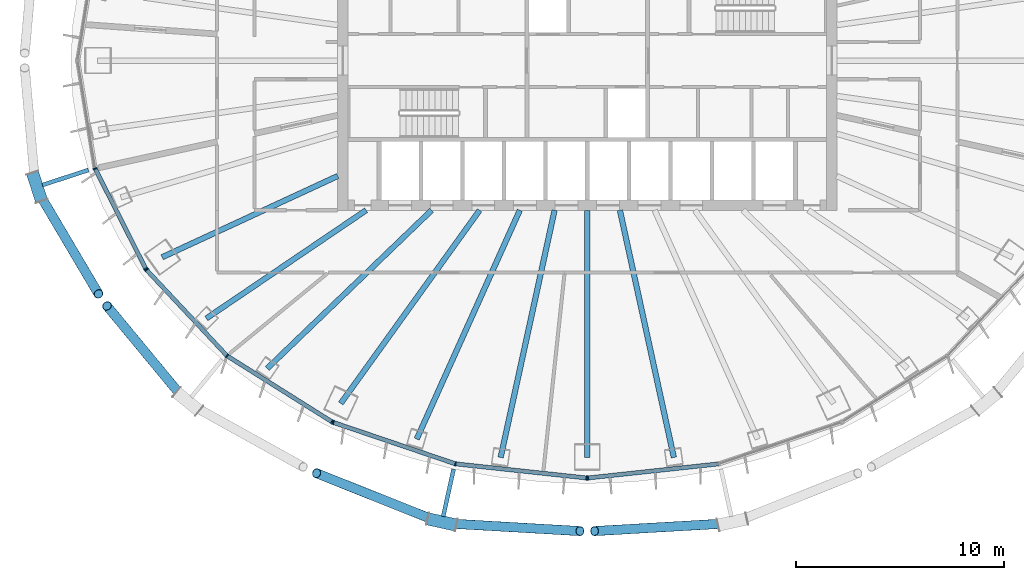
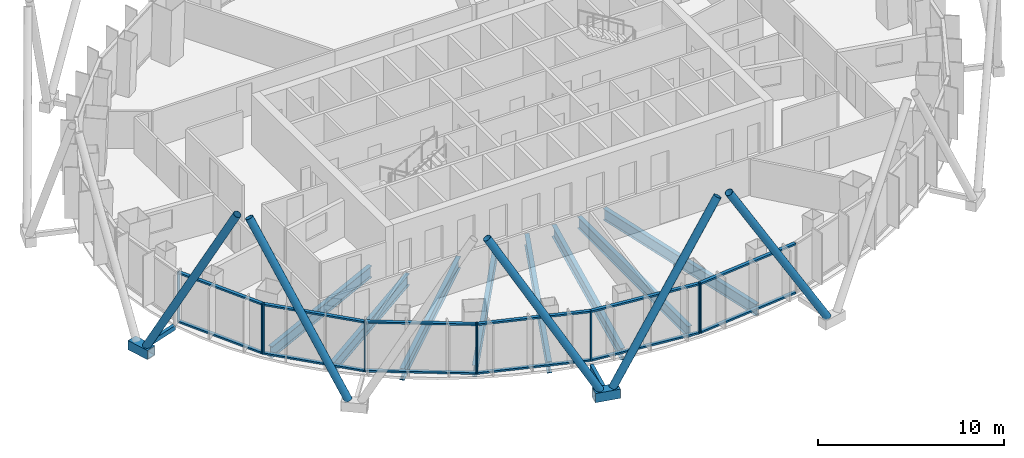
# One storey, part 2 of 18: 30 members, 8 beams, 4 elements without a shape of their own.
"""IFC4 building model written with IfcOpenShell, lengths in metres."""

from ifc_helpers import new_model, si_unit, direction, frame, origin, origin_2d, place, context, subcontext, project, spatial, rectangle, hollow_rectangle, hollow_circle, i_section, extrude, material, layer, layer_set, material_profile, profile_set, type_object, element, aggregate, save


model = new_model("IFC4")

# Units and contexts
model_context = context("Model", 3, precision=1e-05, world=origin(), true_north=direction((0.0, 1.0)))
body_context = subcontext(model_context, "Body", "Model", "MODEL_VIEW")
ifc_project = project(units=[si_unit("LENGTHUNIT", "METRE"), si_unit("AREAUNIT", "SQUARE_METRE"), si_unit("VOLUMEUNIT", "CUBIC_METRE"), si_unit("PLANEANGLEUNIT", "RADIAN"), si_unit("MASSUNIT", "GRAM", prefix="KILO")], contexts=[model_context])

# Site, building, storey
site_placement = place(None, origin())
site = spatial("IfcSite", under=ifc_project, at=site_placement, CompositionType="ELEMENT")
building_placement = place(site_placement, origin())
building = spatial("IfcBuilding", under=site, at=building_placement, Name="Siaravel Broadcast Tower", CompositionType="ELEMENT")
storey_placement = place(building_placement, frame((0.0, 0.0, 141.5)))
storey = spatial("IfcBuildingStorey", under=building, at=storey_placement, Name="L34", CompositionType="ELEMENT", Elevation=141.5)

# Beams
ifc_material_1 = material(Name="Steel S355", Category="steel")
ifc_material_profile_1 = material_profile(ifc_material_1, i_section(OverallWidth=0.26513671875, OverallDepth=0.75390625, WebThickness=0.0126953125, FlangeThickness=0.017578125, FilletRadius=0.0166015625, at=origin_2d()))
ifc_profile_set_1 = profile_set([ifc_material_profile_1], Name="Steel S355")
beam_type = type_object("IfcBeamType", Name="BM-UB 762x267x147", PredefinedType="BEAM", material=ifc_profile_set_1)
beam_1_placement = place(storey_placement, frame((-20.444091796875, -9.459716796875, -0.52685546875), z_axis=(0.907551921, 0.419939889, 0.0), x_axis=(-0.419939889, 0.907551921, 0.0)))
element("IfcBeam", 1, at=beam_1_placement, inside=storey, type_object=beam_type, Name="Radial beam RB22", PredefinedType="BEAM", context=body_context, shape_type="SweptSolid", body=[
    extrude(i_section(OverallWidth=0.26513671875, OverallDepth=0.75390625, WebThickness=0.0126953125, FlangeThickness=0.017578125, FilletRadius=0.0166015625, at=origin_2d()), origin(), (0.0, 0.0, 1.0), 9.30419921875),
])
beam_2_placement = place(storey_placement, frame((-18.3203125, -12.4033203125, -0.52685546875), z_axis=(0.828075469, 0.560616641, 0.0), x_axis=(-0.560616641, 0.828075469, 0.0)))
element("IfcBeam", 2, at=beam_2_placement, inside=storey, type_object=beam_type, Name="Radial beam RB23", PredefinedType="BEAM", context=body_context, shape_type="SweptSolid", body=[
    extrude(i_section(OverallWidth=0.26513671875, OverallDepth=0.75390625, WebThickness=0.0126953125, FlangeThickness=0.017578125, FilletRadius=0.0166015625, at=origin_2d()), origin(), (0.0, 0.0, 1.0), 9.281494140625),
])
beam_3_placement = place(storey_placement, frame((-15.38818359375, -14.8046875, -0.52685546875), z_axis=(0.720630298, 0.693319532, 0.0), x_axis=(-0.693319532, 0.720630298, 0.0)))
element("IfcBeam", 3, at=beam_3_placement, inside=storey, type_object=beam_type, Name="Radial beam RB24", PredefinedType="BEAM", context=body_context, shape_type="SweptSolid", body=[
    extrude(i_section(OverallWidth=0.26513671875, OverallDepth=0.75390625, WebThickness=0.0126953125, FlangeThickness=0.017578125, FilletRadius=0.0166015625, at=origin_2d()), origin(), (0.0, 0.0, 1.0), 10.968505859375),
])
beam_4_placement = place(storey_placement, frame((-11.852294921875, -16.488037109375, -0.52685546875), z_axis=(0.58369058, 0.811976174, 0.0), x_axis=(-0.811976174, 0.58369058, 0.0)))
element("IfcBeam", 4, at=beam_4_placement, inside=storey, type_object=beam_type, Name="Radial beam RB25", PredefinedType="BEAM", context=body_context, shape_type="SweptSolid", body=[
    extrude(i_section(OverallWidth=0.26513671875, OverallDepth=0.75390625, WebThickness=0.0126953125, FlangeThickness=0.017578125, FilletRadius=0.0166015625, at=origin_2d()), origin(), (0.0, 0.0, 1.0), 11.43896484375),
])
beam_5_placement = place(storey_placement, frame((-8.200439453125, -18.202880859375, -0.52685546875), z_axis=(0.410741495, 0.911751844, 0.0), x_axis=(-0.911751844, 0.410741495, 0.0)))
element("IfcBeam", 5, at=beam_5_placement, inside=storey, type_object=beam_type, Name="Radial beam RB26", PredefinedType="BEAM", context=body_context, shape_type="SweptSolid", body=[
    extrude(i_section(OverallWidth=0.26513671875, OverallDepth=0.75390625, WebThickness=0.0126953125, FlangeThickness=0.017578125, FilletRadius=0.0166015625, at=origin_2d()), origin(), (0.0, 0.0, 1.0), 12.06787109375),
])
beam_6_placement = place(storey_placement, frame((-4.165283203125, -19.08837890625, -0.52685546875), z_axis=(0.213198415, 0.977008923, 0.0), x_axis=(-0.977008923, 0.213198415, 0.0)))
element("IfcBeam", 6, at=beam_6_placement, inside=storey, type_object=beam_type, Name="Radial beam RB27", PredefinedType="BEAM", context=body_context, shape_type="SweptSolid", body=[
    extrude(i_section(OverallWidth=0.26513671875, OverallDepth=0.75390625, WebThickness=0.0126953125, FlangeThickness=0.017578125, FilletRadius=0.0166015625, at=origin_2d()), origin(), (0.0, 0.0, 1.0), 12.168212890625),
])
beam_7_placement = place(storey_placement, frame((0.0, -19.0869140625, -0.52685546875), z_axis=(0.0, 1.0, 0.0), x_axis=(-1.0, 0.0, 0.0)))
element("IfcBeam", 7, at=beam_7_placement, inside=storey, type_object=beam_type, Name="Radial beam RB28", PredefinedType="BEAM", context=body_context, shape_type="SweptSolid", body=[
    extrude(i_section(OverallWidth=0.26513671875, OverallDepth=0.75390625, WebThickness=0.0126953125, FlangeThickness=0.017578125, FilletRadius=0.0166015625, at=origin_2d()), origin(), (0.0, 0.0, 1.0), 11.886962890625),
])
beam_8_placement = place(storey_placement, frame((4.165283203125, -19.08837890625, -0.52685546875), z_axis=(-0.213198415, 0.977008923, 0.0), x_axis=(-0.977008923, -0.213198415, 0.0)))
element("IfcBeam", 8, at=beam_8_placement, inside=storey, type_object=beam_type, Name="Radial beam RB29", PredefinedType="BEAM", context=body_context, shape_type="SweptSolid", body=[
    extrude(i_section(OverallWidth=0.26513671875, OverallDepth=0.75390625, WebThickness=0.0126953125, FlangeThickness=0.017578125, FilletRadius=0.0166015625, at=origin_2d()), origin(), (0.0, 0.0, 1.0), 12.168212890625),
])

# Curtain wall, members
ifc_material_2 = material(Name="Aluminium 6063-T6", Category="aluminium")
ifc_layer = layer(ifc_material_2, 0.199951171875)
ifc_layer_set = layer_set([ifc_layer], Name="Aluminium 6063-T6")
curtain_wall_type = type_object("IfcCurtainWallType", Name="Unitised curtain wall, zone 2", PredefinedType="NOTDEFINED", material=ifc_layer_set)
curtain_wall_1_placement = place(storey_placement, origin())
curtain_wall_1 = element("IfcCurtainWall", 9, at=curtain_wall_1_placement, inside=storey, type_object=curtain_wall_type, Name="L34 Unitised curtain wall, zone 2 07", PredefinedType="NOTDEFINED")
ifc_material_profile_2 = material_profile(ifc_material_2, rectangle(XDim=0.199951171875, YDim=0.06494140625, at=origin_2d()))
ifc_profile_set_2 = profile_set([ifc_material_profile_2], Name="Aluminium 6063-T6")
member_type_1 = type_object("IfcMemberType", Name="CW-Z2 mullion", PredefinedType="MULLION", material=ifc_profile_set_2)
member_1_placement = place(storey_placement, frame((-23.6669921875, -5.19970703125, 0.0), z_axis=(0.0, 0.0, 1.0), x_axis=(0.951177322, 0.308644947, 0.0)))
member_1 = element("IfcMember", 10, at=member_1_placement, type_object=member_type_1, Name="CW-Z2 mullion 2", PredefinedType="MULLION", context=body_context, shape_type="SweptSolid", body=[
    extrude(rectangle(XDim=0.199951171875, YDim=0.06494140625, at=origin_2d()), origin(), (0.0, 0.0, 1.0), 3.300048828125),
])
member_2_placement = place(storey_placement, frame((-21.232421875, -10.0146484375, 0.0), z_axis=(0.0, 0.0, 1.0), x_axis=(0.89239231, 0.451260419, 0.0)))
member_2 = element("IfcMember", 11, at=member_2_placement, type_object=member_type_1, Name="CW-Z2 mullion 3", PredefinedType="MULLION", context=body_context, shape_type="SweptSolid", body=[
    extrude(rectangle(XDim=0.199951171875, YDim=0.06494140625, at=origin_2d()), origin(), (0.0, 0.0, 1.0), 3.300048828125),
])

curtain_wall_2_placement = place(storey_placement, origin())
curtain_wall_2 = element("IfcCurtainWall", 12, at=curtain_wall_2_placement, inside=storey, type_object=curtain_wall_type, Name="L34 Unitised curtain wall, zone 2 08", PredefinedType="NOTDEFINED")
member_3_placement = place(storey_placement, frame((-21.1953125, -10.0673828125, 0.0), z_axis=(0.0, 0.0, 1.0), x_axis=(0.72980568, 0.683654642, 0.0)))
member_3 = element("IfcMember", 13, at=member_3_placement, type_object=member_type_1, Name="CW-Z2 mullion 1", PredefinedType="MULLION", context=body_context, shape_type="SweptSolid", body=[
    extrude(rectangle(XDim=0.199951171875, YDim=0.06494140625, at=origin_2d()), origin(), (0.0, 0.0, 1.0), 3.300048828125),
])
member_4_placement = place(storey_placement, frame((-17.322509765625, -14.20166015625, 0.0), z_axis=(0.0, 0.0, 1.0), x_axis=(0.636219116, 0.771508416, 0.0)))
member_4 = element("IfcMember", 14, at=member_4_placement, type_object=member_type_1, Name="CW-Z2 mullion 2", PredefinedType="MULLION", context=body_context, shape_type="SweptSolid", body=[
    extrude(rectangle(XDim=0.199951171875, YDim=0.06494140625, at=origin_2d()), origin(), (0.0, 0.0, 1.0), 3.300048828125),
])
member_5_placement = place(storey_placement, frame((-12.275390625, -17.3740234375, 0.0), z_axis=(0.0, 0.0, 1.0), x_axis=(0.532149741, 0.846650254, 0.0)))
member_5 = element("IfcMember", 15, at=member_5_placement, type_object=member_type_1, Name="CW-Z2 mullion 3", PredefinedType="MULLION", context=body_context, shape_type="SweptSolid", body=[
    extrude(rectangle(XDim=0.199951171875, YDim=0.06494140625, at=origin_2d()), origin(), (0.0, 0.0, 1.0), 3.300048828125),
])

curtain_wall_3_placement = place(storey_placement, origin())
curtain_wall_3 = element("IfcCurtainWall", 16, at=curtain_wall_3_placement, inside=storey, type_object=curtain_wall_type, Name="L34 Unitised curtain wall, zone 2 09", PredefinedType="NOTDEFINED")
member_6_placement = place(storey_placement, frame((-12.217041015625, -17.40185546875, 0.0), z_axis=(0.0, 0.0, 1.0), x_axis=(0.321301028, 0.946977111, 0.0)))
member_6 = element("IfcMember", 17, at=member_6_placement, type_object=member_type_1, Name="CW-Z2 mullion 1", PredefinedType="MULLION", context=body_context, shape_type="SweptSolid", body=[
    extrude(rectangle(XDim=0.199951171875, YDim=0.06494140625, at=origin_2d()), origin(), (0.0, 0.0, 1.0), 3.300048828125),
])
member_7_placement = place(storey_placement, frame((-6.339599609375, -19.39599609375, 0.0), z_axis=(0.0, 0.0, 1.0), x_axis=(0.215558352, 0.976490961, 0.0)))
member_7 = element("IfcMember", 18, at=member_7_placement, type_object=member_type_1, Name="CW-Z2 mullion 2", PredefinedType="MULLION", context=body_context, shape_type="SweptSolid", body=[
    extrude(rectangle(XDim=0.199951171875, YDim=0.06494140625, at=origin_2d()), origin(), (0.0, 0.0, 1.0), 3.300048828125),
])
member_8_placement = place(storey_placement, frame((-0.0322265625, -20.076171875, 0.0), z_axis=(0.0, 0.0, 1.0), x_axis=(0.10721764, 0.994235575, 0.0)))
member_8 = element("IfcMember", 19, at=member_8_placement, type_object=member_type_1, Name="CW-Z2 mullion 3", PredefinedType="MULLION", context=body_context, shape_type="SweptSolid", body=[
    extrude(rectangle(XDim=0.199951171875, YDim=0.06494140625, at=origin_2d()), origin(), (0.0, 0.0, 1.0), 3.300048828125),
])

# Curtain wall, member
curtain_wall_4_placement = place(storey_placement, origin())
curtain_wall_4 = element("IfcCurtainWall", 20, at=curtain_wall_4_placement, inside=storey, type_object=curtain_wall_type, Name="L34 Unitised curtain wall, zone 2 10", PredefinedType="NOTDEFINED")
member_9_placement = place(storey_placement, frame((0.0322265625, -20.076171875, 0.0), z_axis=(0.0, 0.0, 1.0), x_axis=(-0.10721764, 0.994235575, 0.0)))
member_9 = element("IfcMember", 21, at=member_9_placement, type_object=member_type_1, Name="CW-Z2 mullion 1", PredefinedType="MULLION", context=body_context, shape_type="SweptSolid", body=[
    extrude(rectangle(XDim=0.199951171875, YDim=0.06494140625, at=origin_2d()), origin(), (0.0, 0.0, 1.0), 3.300048828125),
])

# Member
ifc_material_profile_3 = material_profile(ifc_material_2, rectangle(XDim=0.199951171875, YDim=0.110107421875, at=origin_2d()))
ifc_profile_set_3 = profile_set([ifc_material_profile_3], Name="Aluminium 6063-T6")
member_type_2 = type_object("IfcMemberType", Name="CW-Z2 transom", PredefinedType="USERDEFINED", material=ifc_profile_set_3)
member_10_placement = place(storey_placement, frame((-23.65234375, -5.228515625, 0.054931640625), z_axis=(0.451257646, -0.892393712, 0.0), x_axis=(0.892393712, 0.451257646, 0.0)))
member_10 = element("IfcMember", 22, at=member_10_placement, type_object=member_type_2, Name="CW-Z2 transom 2", ObjectType="TRANSOM", PredefinedType="USERDEFINED", context=body_context, shape_type="SweptSolid", body=[
    extrude(rectangle(XDim=0.199951171875, YDim=0.110107421875, at=origin_2d()), origin(), (0.0, 0.0, 1.0), 5.330810546875),
])

member_11_placement = place(storey_placement, frame((-23.65234375, -5.228515625, 3.2451171875), z_axis=(0.451257646, -0.892393712, 0.0), x_axis=(0.892393712, 0.451257646, 0.0)))
member_11 = element("IfcMember", 23, at=member_11_placement, type_object=member_type_2, Name="CW-Z2 transom 2", ObjectType="TRANSOM", PredefinedType="USERDEFINED", context=body_context, shape_type="SweptSolid", body=[
    extrude(rectangle(XDim=0.199951171875, YDim=0.110107421875, at=origin_2d()), origin(), (0.0, 0.0, 1.0), 5.330810546875),
])

aggregate(curtain_wall_1, [member_1, member_2, member_10, member_11])

member_12_placement = place(storey_placement, frame((-21.173095703125, -10.091064453125, 0.054931640625), z_axis=(0.683668449, -0.729792746, 0.0), x_axis=(0.729792746, 0.683668449, 0.0)))
member_12 = element("IfcMember", 24, at=member_12_placement, type_object=member_type_2, Name="CW-Z2 transom 1", ObjectType="TRANSOM", PredefinedType="USERDEFINED", context=body_context, shape_type="SweptSolid", body=[
    extrude(rectangle(XDim=0.199951171875, YDim=0.110107421875, at=origin_2d()), origin(), (0.0, 0.0, 1.0), 5.60009765625),
])

member_13_placement = place(storey_placement, frame((-21.173095703125, -10.091064453125, 3.2451171875), z_axis=(0.683668449, -0.729792746, 0.0), x_axis=(0.729792746, 0.683668449, 0.0)))
member_13 = element("IfcMember", 25, at=member_13_placement, type_object=member_type_2, Name="CW-Z2 transom 1", ObjectType="TRANSOM", PredefinedType="USERDEFINED", context=body_context, shape_type="SweptSolid", body=[
    extrude(rectangle(XDim=0.199951171875, YDim=0.110107421875, at=origin_2d()), origin(), (0.0, 0.0, 1.0), 5.60009765625),
])

member_14_placement = place(storey_placement, frame((-17.294921875, -14.218994140625, 0.054931640625), z_axis=(0.846655737, -0.532141018, 0.0), x_axis=(0.532141018, 0.846655737, 0.0)))
member_14 = element("IfcMember", 26, at=member_14_placement, type_object=member_type_2, Name="CW-Z2 transom 2", ObjectType="TRANSOM", PredefinedType="USERDEFINED", context=body_context, shape_type="SweptSolid", body=[
    extrude(rectangle(XDim=0.199951171875, YDim=0.110107421875, at=origin_2d()), origin(), (0.0, 0.0, 1.0), 5.896240234375),
])

member_15_placement = place(storey_placement, frame((-17.294921875, -14.218994140625, 3.2451171875), z_axis=(0.846655737, -0.532141018, 0.0), x_axis=(0.532141018, 0.846655737, 0.0)))
member_15 = element("IfcMember", 27, at=member_15_placement, type_object=member_type_2, Name="CW-Z2 transom 2", ObjectType="TRANSOM", PredefinedType="USERDEFINED", context=body_context, shape_type="SweptSolid", body=[
    extrude(rectangle(XDim=0.199951171875, YDim=0.110107421875, at=origin_2d()), origin(), (0.0, 0.0, 1.0), 5.896240234375),
])

aggregate(curtain_wall_2, [member_3, member_4, member_5, member_12, member_13, member_14, member_15])

member_16_placement = place(storey_placement, frame((-12.186279296875, -17.412109375, 0.054931640625), z_axis=(0.946972221, -0.321315442, 0.0), x_axis=(0.321315442, 0.946972221, 0.0)))
member_16 = element("IfcMember", 28, at=member_16_placement, type_object=member_type_2, Name="CW-Z2 transom 1", ObjectType="TRANSOM", PredefinedType="USERDEFINED", context=body_context, shape_type="SweptSolid", body=[
    extrude(rectangle(XDim=0.199951171875, YDim=0.110107421875, at=origin_2d()), origin(), (0.0, 0.0, 1.0), 6.1416015625),
])

member_17_placement = place(storey_placement, frame((-12.186279296875, -17.412109375, 3.2451171875), z_axis=(0.946972221, -0.321315442, 0.0), x_axis=(0.321315442, 0.946972221, 0.0)))
member_17 = element("IfcMember", 29, at=member_17_placement, type_object=member_type_2, Name="CW-Z2 transom 1", ObjectType="TRANSOM", PredefinedType="USERDEFINED", context=body_context, shape_type="SweptSolid", body=[
    extrude(rectangle(XDim=0.199951171875, YDim=0.110107421875, at=origin_2d()), origin(), (0.0, 0.0, 1.0), 6.1416015625),
])

member_18_placement = place(storey_placement, frame((-6.307373046875, -19.3994140625, 0.054931640625), z_axis=(0.99423744, -0.107200337, 0.0), x_axis=(0.107200337, 0.99423744, 0.0)))
member_18 = element("IfcMember", 30, at=member_18_placement, type_object=member_type_2, Name="CW-Z2 transom 2", ObjectType="TRANSOM", PredefinedType="USERDEFINED", context=body_context, shape_type="SweptSolid", body=[
    extrude(rectangle(XDim=0.199951171875, YDim=0.110107421875, at=origin_2d()), origin(), (0.0, 0.0, 1.0), 6.27880859375),
])

member_19_placement = place(storey_placement, frame((-6.307373046875, -19.3994140625, 3.2451171875), z_axis=(0.99423744, -0.107200337, 0.0), x_axis=(0.107200337, 0.99423744, 0.0)))
member_19 = element("IfcMember", 31, at=member_19_placement, type_object=member_type_2, Name="CW-Z2 transom 2", ObjectType="TRANSOM", PredefinedType="USERDEFINED", context=body_context, shape_type="SweptSolid", body=[
    extrude(rectangle(XDim=0.199951171875, YDim=0.110107421875, at=origin_2d()), origin(), (0.0, 0.0, 1.0), 6.27880859375),
])

aggregate(curtain_wall_3, [member_6, member_7, member_8, member_16, member_17, member_18, member_19])

member_20_placement = place(storey_placement, frame((0.064697265625, -20.072509765625, 0.054931640625), z_axis=(0.99423744, 0.107200337, 0.0), x_axis=(-0.107200337, 0.99423744, 0.0)))
member_20 = element("IfcMember", 32, at=member_20_placement, type_object=member_type_2, Name="CW-Z2 transom 1", ObjectType="TRANSOM", PredefinedType="USERDEFINED", context=body_context, shape_type="SweptSolid", body=[
    extrude(rectangle(XDim=0.199951171875, YDim=0.110107421875, at=origin_2d()), origin(), (0.0, 0.0, 1.0), 6.27880859375),
])

member_21_placement = place(storey_placement, frame((0.064697265625, -20.072509765625, 3.2451171875), z_axis=(0.99423744, 0.107200337, 0.0), x_axis=(-0.107200337, 0.99423744, 0.0)))
member_21 = element("IfcMember", 33, at=member_21_placement, type_object=member_type_2, Name="CW-Z2 transom 1", ObjectType="TRANSOM", PredefinedType="USERDEFINED", context=body_context, shape_type="SweptSolid", body=[
    extrude(rectangle(XDim=0.199951171875, YDim=0.110107421875, at=origin_2d()), origin(), (0.0, 0.0, 1.0), 6.27880859375),
])

aggregate(curtain_wall_4, [member_9, member_20, member_21])

# Members
ifc_material_3 = material(Name="Steel S460", Category="steel")
ifc_material_profile_4 = material_profile(ifc_material_3, hollow_circle(Radius=0.228515625, WallThickness=0.02001953125, at=origin_2d()))
ifc_profile_set_4 = profile_set([ifc_material_profile_4], Name="Steel S460")
member_type_3 = type_object("IfcMemberType", Name="Diagrid diagonal CHS 457x20", PredefinedType="BRACE", material=ifc_profile_set_4)
member_22_placement = place(storey_placement, frame((-26.3525390625, -6.40771484375, 0.070068359375), z_axis=(0.238312597, -0.403125389, 0.883570612), x_axis=(0.860830986, 0.508890964, 0.0)))
element("IfcMember", 34, at=member_22_placement, inside=storey, type_object=member_type_3, Name="Diagrid diagonal R14 station 39A", PredefinedType="BRACE", context=body_context, shape_type="SweptSolid", body=[
    extrude(hollow_circle(Radius=0.228515625, WallThickness=0.02001953125, at=origin_2d()), origin(), (0.0, 0.0, 1.0), 11.951416015625),
])
member_23_placement = place(storey_placement, frame((-19.481689453125, -16.17431640625, 0.070068359375), z_axis=(-0.301770729, 0.364878056, 0.880794205), x_axis=(-0.770598967, -0.637320353, 0.0)))
element("IfcMember", 35, at=member_23_placement, inside=storey, type_object=member_type_3, Name="Diagrid diagonal R14 station 45C", PredefinedType="BRACE", context=body_context, shape_type="SweptSolid", body=[
    extrude(hollow_circle(Radius=0.228515625, WallThickness=0.02001953125, at=origin_2d()), origin(), (0.0, 0.0, 1.0), 11.989013671875),
])
member_24_placement = place(storey_placement, frame((-7.328857421875, -22.115234375, 0.070068359375), z_axis=(-0.466182885, 0.185817234, 0.864954029), x_axis=(-0.370263678, -0.928926697, 0.0)))
element("IfcMember", 36, at=member_24_placement, inside=storey, type_object=member_type_3, Name="Diagrid diagonal R14 station 51C", PredefinedType="BRACE", context=body_context, shape_type="SweptSolid", body=[
    extrude(hollow_circle(Radius=0.228515625, WallThickness=0.02001953125, at=origin_2d()), origin(), (0.0, 0.0, 1.0), 12.20849609375),
])
for number, where, z_axis, x_axis, name in (
    (37, (-6.642333984375, -22.265869140625, 0.070068359375), (0.511584933, -0.029581712, 0.858723343), (0.05772723, 0.998332393, 0.0), "Diagrid diagonal R14 station 51A"),
    (38, (6.642333984375, -22.265869140625, 0.070068359375), (-0.511584933, -0.029581712, 0.858723343), (0.05772723, -0.998332393, 0.0), "Diagrid diagonal R14 station 57C"),
):
    element("IfcMember", number, at=place(storey_placement, frame(where, z_axis=z_axis, x_axis=x_axis)), inside=storey, type_object=member_type_3, Name=name, PredefinedType="BRACE", context=body_context, shape_type="SweptSolid", body=[
        extrude(hollow_circle(Radius=0.228515625, WallThickness=0.02001953125, at=origin_2d()), origin(), (0.0, 0.0, 1.0), 12.297119140625),
    ])
ifc_material_profile_5 = material_profile(ifc_material_3, hollow_rectangle(XDim=0.60009765625, YDim=0.60009765625, WallThickness=0.0400390625, at=origin_2d()))
ifc_profile_set_5 = profile_set([ifc_material_profile_5], Name="Steel S460")
member_type_4 = type_object("IfcMemberType", Name="Diagrid node BOX 600x600x40", PredefinedType="USERDEFINED", material=ifc_profile_set_5)
for number, where, z_axis, x_axis, name in (
    (39, (-26.67919921875, -5.40869140625, -0.199951171875), (0.310832801, -0.950464607, 0.0), (0.950464607, 0.310832801, 0.0), "Diagrid node R14 station 39"),
    (40, (-7.669189453125, -22.04052734375, -0.199951171875), (0.976754142, -0.21436265, 0.0), (0.21436265, 0.976754142, 0.0), "Diagrid node R14 station 51"),
):
    element("IfcMember", number, at=place(storey_placement, frame(where, z_axis=z_axis, x_axis=x_axis)), inside=storey, type_object=member_type_4, Name=name, ObjectType="DIAGRID NODE", PredefinedType="USERDEFINED", context=body_context, shape_type="SweptSolid", body=[
        extrude(hollow_rectangle(XDim=0.60009765625, YDim=0.60009765625, WallThickness=0.0400390625, at=origin_2d()), origin(), (0.0, 0.0, 1.0), 1.399658203125),
    ])
ifc_material_profile_6 = material_profile(ifc_material_3, hollow_rectangle(XDim=0.199951171875, YDim=0.300048828125, WallThickness=0.012451171875, at=origin_2d()))
ifc_profile_set_6 = profile_set([ifc_material_profile_6], Name="Steel S460")
member_type_5 = type_object("IfcMemberType", Name="Diagrid node arm RHS 300x200x12.5", PredefinedType="STRUT", material=ifc_profile_set_6)
for number, where, z_axis, x_axis, name in (
    (41, (-23.990478515625, -5.265380859375, -0.199951171875), (-0.950418526, -0.310973673, 0.0), (0.310973673, -0.950418526, 0.0), "Node arm R14 station 39"),
    (42, (-6.42822265625, -19.651123046875, -0.199951171875), (-0.214378037, -0.976750765, 0.0), (0.976750765, -0.214378037, 0.0), "Node arm R14 station 51"),
):
    element("IfcMember", number, at=place(storey_placement, frame(where, z_axis=z_axis, x_axis=x_axis)), inside=storey, type_object=member_type_5, Name=name, PredefinedType="STRUT", context=body_context, shape_type="SweptSolid", body=[
        extrude(hollow_rectangle(XDim=0.199951171875, YDim=0.300048828125, WallThickness=0.012451171875, at=origin_2d()), origin(), (0.0, 0.0, 1.0), 2.330078125),
    ])

save(model, "model.ifc")
